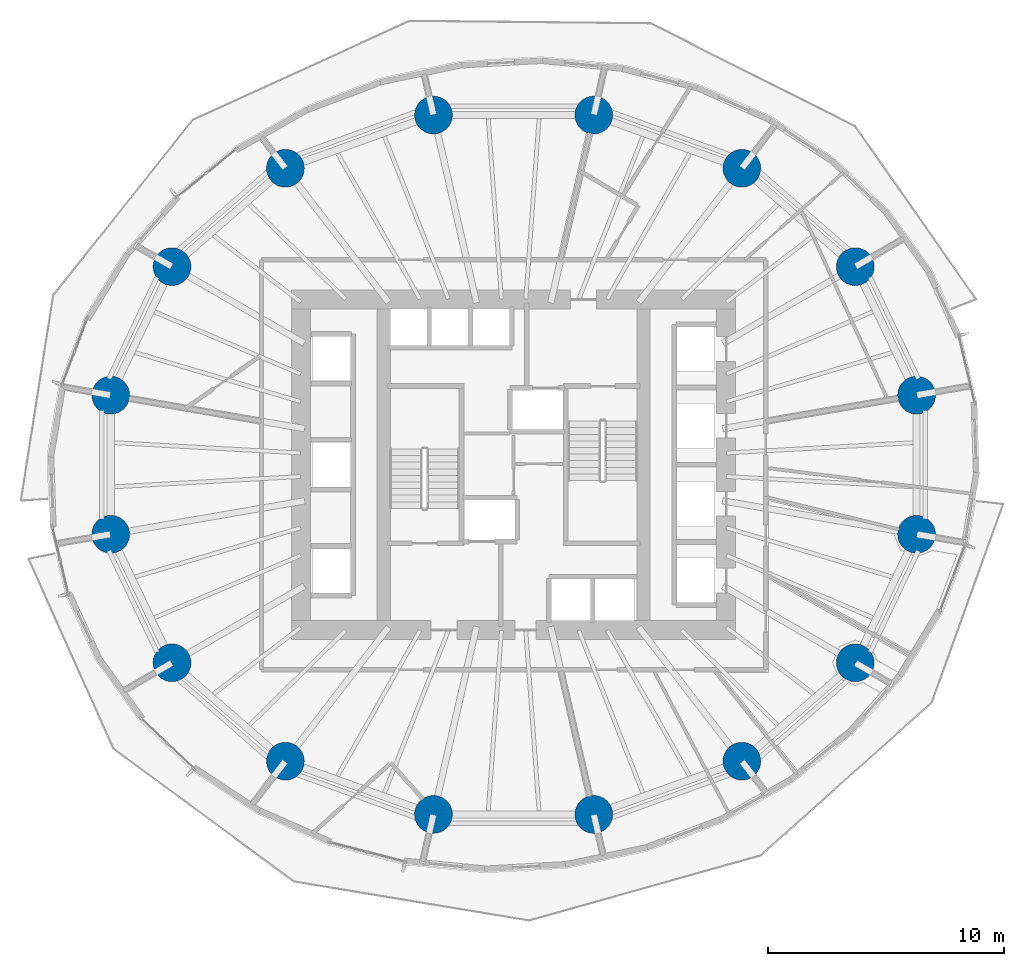
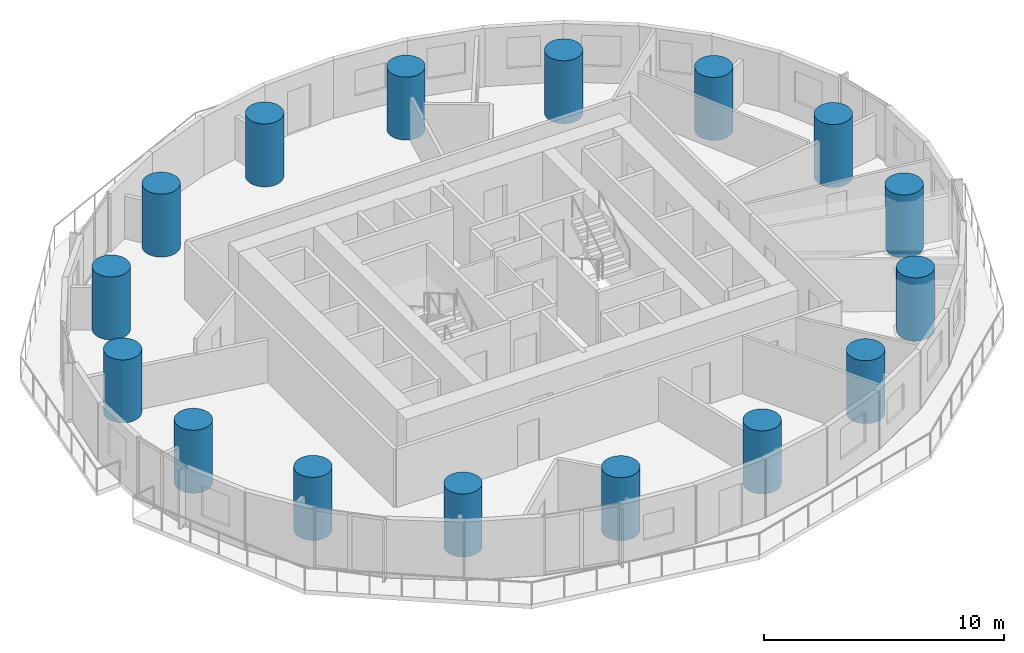
# One storey, part 1 of 14: 16 columns.
"""IFC4 building model written with IfcOpenShell, lengths in metres."""

from ifc_helpers import new_model, si_unit, direction, frame, origin, origin_2d, place, context, subcontext, project, spatial, circle, extrude, material, material_profile, profile_set, type_object, element, save


model = new_model("IFC4")

# Units and contexts
model_context = context("Model", 3, precision=1e-05, world=origin(), true_north=direction((0.0, 1.0)))
body_context = subcontext(model_context, "Body", "Model", "MODEL_VIEW")
ifc_project = project(units=[si_unit("LENGTHUNIT", "METRE"), si_unit("AREAUNIT", "SQUARE_METRE"), si_unit("VOLUMEUNIT", "CUBIC_METRE"), si_unit("PLANEANGLEUNIT", "RADIAN"), si_unit("MASSUNIT", "GRAM", prefix="KILO")], contexts=[model_context])

# Site, building, storey
site_placement = place(None, origin())
site = spatial("IfcSite", under=ifc_project, at=site_placement, CompositionType="ELEMENT")
building_placement = place(site_placement, origin())
building = spatial("IfcBuilding", under=site, at=building_placement, Name="Veldorim Arch Residences", CompositionType="ELEMENT")
storey_placement = place(building_placement, frame((0.0, 0.0, 40.800048828125)))
storey = spatial("IfcBuildingStorey", under=building, at=storey_placement, Name="L11", CompositionType="ELEMENT", Elevation=40.800048828125)

# Columns
ifc_material = material(Name="Concrete C60/75", Category="concrete")
ifc_material_profile = material_profile(ifc_material, circle(Radius=0.800048828125, at=origin_2d()), Name="RC_CIRC_1600")
ifc_profile_set = profile_set([ifc_material_profile], Name="Concrete C60/75")
column_type = type_object("IfcColumnType", Name="Structural Column RC_CIRC_1600", PredefinedType="COLUMN", material=ifc_profile_set)
for number, where, z_axis, x_axis, name in (
    (1, (49.065673828125, 26.94580078125, 0.0), (0.0, 0.0, 1.0), (1.0, 0.0, 0.0), "L11 TC-Z1-01 perimeter column"),
    (2, (46.467529296875, 32.38916015625, 0.0), (0.0, 0.0, 1.0), (1.0, 0.0, 0.0), "L11 TC-Z1-02 perimeter column"),
    (3, (41.6669921875, 36.55517578125, 0.0), (0.0, 0.0, 1.0), (1.0, 0.0, 0.0), "L11 TC-Z1-03 perimeter column"),
    (4, (35.39453125, 38.809814453125, 0.0), (0.0, 0.0, 1.0), (1.0, 0.0, 0.0), "L11 TC-Z1-04 perimeter column"),
    (5, (28.60546875, 38.809814453125, 0.0), (0.0, 0.0, 1.0), (1.0, 0.0, 0.0), "L11 TC-Z1-05 perimeter column"),
    (6, (22.3330078125, 36.55517578125, 0.0), (0.0, 0.0, 1.0), (1.0, 0.0, 0.0), "L11 TC-Z1-06 perimeter column"),
    (7, (17.532470703125, 32.38916015625, 0.0), (0.0, 0.0, 1.0), (1.0, 0.0, 0.0), "L11 TC-Z1-07 perimeter column"),
    (8, (14.934326171875, 26.94580078125, 0.0), (0.0, 0.0, 1.0), (1.0, 0.0, 0.0), "L11 TC-Z1-08 perimeter column"),
    (9, (14.934326171875, 21.05419921875, 0.0), (0.0, 0.0, 1.0), (1.0, 0.0, 0.0), "L11 TC-Z1-09 perimeter column"),
    (10, (17.532470703125, 15.61083984375, 0.0), (0.0, 0.0, 1.0), (1.0, 0.0, 0.0), "L11 TC-Z1-10 perimeter column"),
    (11, (22.3330078125, 11.44482421875, 0.0), (0.0, 0.0, 1.0), (1.0, 0.0, 0.0), "L11 TC-Z1-11 perimeter column"),
    (12, (28.60546875, 9.190185546875, 0.0), (0.0, 0.0, 1.0), (1.0, 0.0, 0.0), "L11 TC-Z1-12 perimeter column"),
    (13, (35.39453125, 9.190185546875, 0.0), (0.0, 0.0, 1.0), (1.0, 0.0, 0.0), "L11 TC-Z1-13 perimeter column"),
    (14, (41.6669921875, 11.44482421875, 0.0), (0.0, 0.0, 1.0), (1.0, 0.0, 0.0), "L11 TC-Z1-14 perimeter column"),
    (15, (46.467529296875, 15.61083984375, 0.0), (0.0, 0.0, 1.0), (1.0, 0.0, 0.0), "L11 TC-Z1-15 perimeter column"),
    (16, (49.065673828125, 21.05419921875, 0.0), (0.0, 0.0, 1.0), (1.0, 0.0, 0.0), "L11 TC-Z1-16 perimeter column"),
):
    element("IfcColumn", number, at=place(storey_placement, frame(where, z_axis=z_axis, x_axis=x_axis)), inside=storey, type_object=column_type, Name=name, PredefinedType="COLUMN", context=body_context, shape_type="SweptSolid", body=[
        extrude(circle(Radius=0.800048828125, at=origin_2d()), origin(), (0.0, 0.0, 1.0), 3.199951171875),
    ])

save(model, "model.ifc")
